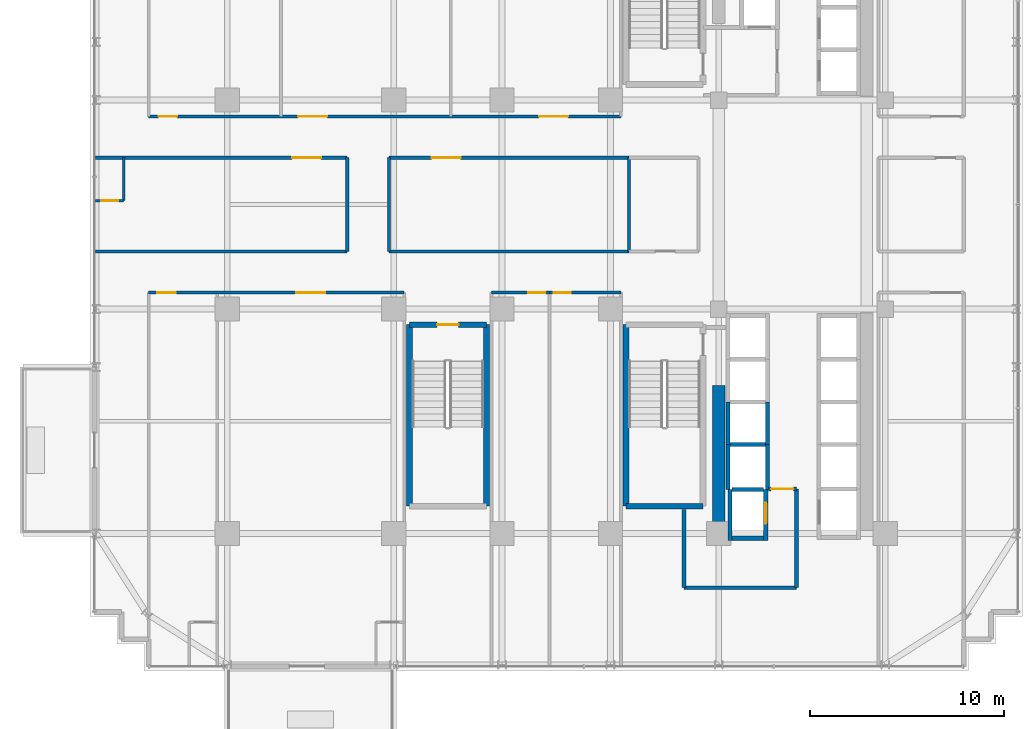
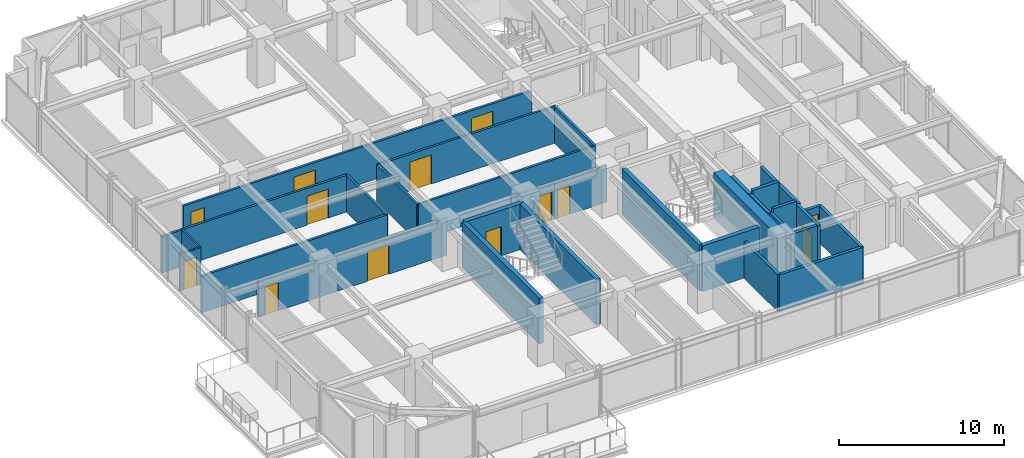
# One storey, part 26 of 32: 32 walls, 13 doors, 13 openings.
"""IFC4 building model written with IfcOpenShell, lengths in metres."""

from ifc_helpers import new_model, si_unit, direction, frame, frame_2d, origin, place, context, subcontext, project, spatial, rectangle, extrude, source, transform, mapped, material, layer, layer_set, type_object, element, fill, save


model = new_model("IFC4")

# Units and contexts
model_context = context("Model", 3, precision=1e-05, world=origin(), true_north=direction((0.0, 1.0)))
body_context = subcontext(model_context, "Body", "Model", "MODEL_VIEW")
ifc_project = project(units=[si_unit("LENGTHUNIT", "METRE"), si_unit("AREAUNIT", "SQUARE_METRE"), si_unit("VOLUMEUNIT", "CUBIC_METRE"), si_unit("PLANEANGLEUNIT", "RADIAN"), si_unit("MASSUNIT", "GRAM", prefix="KILO")], contexts=[model_context])

# Site, building, storey
site_placement = place(None, origin())
site = spatial("IfcSite", under=ifc_project, at=site_placement, CompositionType="ELEMENT")
building_placement = place(site_placement, origin())
building = spatial("IfcBuilding", under=site, at=building_placement, Name="Nahalor Promenade Grand Hotel", CompositionType="ELEMENT")
storey_placement = place(building_placement, frame((0.0, 0.0, 110.199951171875)))
storey = spatial("IfcBuildingStorey", under=building, at=storey_placement, Name="L27", CompositionType="ELEMENT", Elevation=110.199951171875)

# Walls
ifc_material_1 = material(Name="Concrete B-60 (C50/60)", Category="concrete")
ifc_layer_1 = layer(ifc_material_1, 0.64990234375)
ifc_layer_set_1 = layer_set([ifc_layer_1], Name="Concrete B-60 (C50/60)")
wall_type_1 = type_object("IfcWallType", Name="Wall-CoreShear-650", PredefinedType="SHEAR", material=ifc_layer_set_1)
shared_shape_1 = source(origin(), body_context, "Body", "SweptSolid", [
    extrude(rectangle(XDim=7.64990234375, YDim=0.64990234375, at=frame_2d((3.824951171875, 0.0))), origin(), (0.0, 0.0, 1.0), 3.380126953125),
])
wall_1_placement = place(storey_placement, frame((8.39990234375, -17.0, 0.0), z_axis=(0.0, 0.0, 1.0), x_axis=(0.0, 1.0, 0.0)))
element("IfcWall", 1, at=wall_1_placement, inside=storey, type_object=wall_type_1, Name="CWALL-L27-SW", PredefinedType="SHEAR", context=body_context, shape_type="MappedRepresentation", body=[
    mapped(shared_shape_1, transform((0.0, 0.0, 0.0), scale=1.0)),
])
ifc_material_2 = material(Name="Concrete B-50 (C40/50)", Category="concrete")
ifc_layer_2 = layer(ifc_material_2, 0.300048828125)
ifc_layer_set_2 = layer_set([ifc_layer_2], Name="Concrete B-50 (C40/50)")
wall_type_2 = type_object("IfcWallType", Name="Wall-ShaftShear-300", PredefinedType="SHEAR", material=ifc_layer_set_2)
shared_shape_2 = source(origin(), body_context, "Body", "SweptSolid", [
    extrude(rectangle(XDim=3.97998046875, YDim=0.300048828125, at=frame_2d((1.989990234375, 0.0))), origin(), (0.0, 0.0, 1.0), 3.380126953125),
])
wall_2_placement = place(storey_placement, frame((3.610107421875, -15.590087890625, 0.0), z_axis=(0.0, 0.0, 1.0), x_axis=(1.0, 0.0, 0.0)))
element("IfcWall", 2, at=wall_2_placement, inside=storey, type_object=wall_type_2, Name="L27 Exit Stair ST2 Shaft Wall S", PredefinedType="SHEAR", context=body_context, shape_type="MappedRepresentation", body=[
    mapped(shared_shape_2, transform((0.0, 0.0, 0.0), scale=1.0)),
])

# Wall, opening, door
wall_3_placement = place(storey_placement, frame((-7.590087890625, -6.2099609375, 0.0), z_axis=(0.0, 0.0, 1.0), x_axis=(1.0, 0.0, 0.0)))
wall_3 = element("IfcWall", 3, at=wall_3_placement, inside=storey, type_object=wall_type_2, Name="L27 Exit Stair ST3 Shaft Wall N", PredefinedType="SHEAR", context=body_context, shape_type="MappedRepresentation", body=[
    mapped(shared_shape_2, transform((0.0, 0.0, 0.0), scale=1.0)),
])
opening_1_placement = place(wall_3_placement, frame((1.43994140625, 0.0, 0.0)))
opening_1 = element("IfcOpeningElement", 4, at=opening_1_placement, cuts=wall_3, Name="Opening D-ST1", PredefinedType="OPENING", context=body_context, shape_type="SweptSolid", body=[
    extrude(rectangle(XDim=1.10009765625, YDim=2.14990234375, at=frame_2d((0.550048828125, 1.074951171875))), frame((0.0, 0.159912109375, 0.0), z_axis=(0.0, -1.0, 0.0), x_axis=(1.0, 0.0, 0.0)), (0.0, 0.0, 1.0), 0.320068359375),
])
ifc_material_3 = material(Name="Steel S355JR", Category="steel")
door_type_1 = type_object("IfcDoorType", Name="Door-StairFire-1100", OperationType="NOTDEFINED", PredefinedType="DOOR", material=ifc_material_3)
shared_shape_3 = source(origin(), body_context, "Body", "SweptSolid", [
    extrude(rectangle(XDim=1.10009765625, YDim=2.14990234375, at=frame_2d((0.550048828125, 1.074951171875))), frame((0.0, 0.02490234375, 0.0), z_axis=(0.0, -1.0, 0.0), x_axis=(1.0, 0.0, 0.0)), (0.0, 0.0, 1.0), 0.050048828125),
])
door_1_placement = place(opening_1_placement, frame((1.10009765625, 0.0, 0.0), z_axis=(0.0, 0.0, 1.0), x_axis=(-1.0, 0.0, 0.0)))
door_1 = element("IfcDoor", 5, at=door_1_placement, inside=storey, type_object=door_type_1, Name="DR-STAIR-ST3-L27", OperationType="SINGLE_SWING_RIGHT", OverallHeight=2.14990234375, OverallWidth=1.10009765625, PredefinedType="DOOR", context=body_context, shape_type="MappedRepresentation", body=[
    mapped(shared_shape_3, transform((0.0, 0.0, 0.0), scale=1.0)),
])
fill(opening_1, door_1)

# Walls
shared_shape_4 = source(origin(), body_context, "Body", "SweptSolid", [
    extrude(rectangle(XDim=9.380126953125, YDim=0.300048828125, at=frame_2d((4.68994140625, 0.0))), origin(), (0.0, 0.0, 1.0), 3.380126953125),
])
for number, where, z_axis, x_axis, name in (
    (6, (3.610107421875, -15.590087890625, 0.0), (0.0, 0.0, 1.0), (0.0, 1.0, 0.0), "L27 Exit Stair ST2 Shaft Wall W"),
    (7, (-7.590087890625, -15.590087890625, 0.0), (0.0, 0.0, 1.0), (0.0, 1.0, 0.0), "L27 Exit Stair ST3 Shaft Wall W"),
    (8, (-3.610107421875, -15.590087890625, 0.0), (0.0, 0.0, 1.0), (0.0, 1.0, 0.0), "L27 Exit Stair ST3 Shaft Wall E"),
):
    element("IfcWall", number, at=place(storey_placement, frame(where, z_axis=z_axis, x_axis=x_axis)), inside=storey, type_object=wall_type_2, Name=name, PredefinedType="SHEAR", context=body_context, shape_type="MappedRepresentation", body=[
        mapped(shared_shape_4, transform((0.0, 0.0, 0.0), scale=1.0)),
    ])
ifc_layer_3 = layer(ifc_material_2, 0.219970703125)
ifc_layer_set_3 = layer_set([ifc_layer_3], Name="Concrete B-50 (C40/50)")
wall_type_3 = type_object("IfcWallType", Name="Wall-LiftShaft-220", PredefinedType="SHEAR", material=ifc_layer_set_3)
shared_shape_5 = source(origin(), body_context, "Body", "SweptSolid", [
    extrude(rectangle(XDim=1.820068359375, YDim=0.219970703125, at=frame_2d((0.91015625, 0.0))), origin(), (0.0, 0.0, 1.0), 3.650146484375),
])
wall_4_placement = place(storey_placement, frame((8.989990234375, -12.39990234375, 0.0), z_axis=(0.0, 0.0, 1.0), x_axis=(1.0, 0.0, 0.0)))
element("IfcWall", 9, at=wall_4_placement, inside=storey, type_object=wall_type_3, Name="L27 Lift PL12 Hoistway Wall N", PredefinedType="SHEAR", context=body_context, shape_type="MappedRepresentation", body=[
    mapped(shared_shape_5, transform((0.0, 0.0, 0.0), scale=1.0)),
])
shared_shape_6 = source(origin(), body_context, "Body", "SweptSolid", [
    extrude(rectangle(XDim=2.199951171875, YDim=0.219970703125, at=frame_2d((1.10009765625, 0.0))), origin(), (0.0, 0.0, 1.0), 3.380126953125),
])
for number, where, z_axis, x_axis, name in (
    (10, (8.8798828125, -12.39990234375, 0.0), (0.0, 0.0, 1.0), (0.0, 1.0, 0.0), "L27 Lift PL11 Hoistway Wall W"),
    (11, (10.919921875, -12.39990234375, 0.0), (0.0, 0.0, 1.0), (0.0, 1.0, 0.0), "L27 Lift PL11 Hoistway Wall E"),
):
    element("IfcWall", number, at=place(storey_placement, frame(where, z_axis=z_axis, x_axis=x_axis)), inside=storey, type_object=wall_type_3, Name=name, PredefinedType="SHEAR", context=body_context, shape_type="MappedRepresentation", body=[
        mapped(shared_shape_6, transform((0.0, 0.0, 0.0), scale=1.0)),
    ])
shared_shape_7 = source(origin(), body_context, "Body", "SweptSolid", [
    extrude(rectangle(XDim=2.3251953125, YDim=0.219970703125, at=frame_2d((1.16259765625, 0.0))), origin(), (0.0, 0.0, 1.0), 3.380126953125),
])
for number, where, z_axis, x_axis, name in (
    (12, (8.8798828125, -14.72509765625, 0.0), (0.0, 0.0, 1.0), (0.0, 1.0, 0.0), "L27 Lift PL12 Hoistway Wall W"),
    (13, (10.919921875, -14.72509765625, 0.0), (0.0, 0.0, 1.0), (0.0, 1.0, 0.0), "L27 Lift PL12 Hoistway Wall E"),
):
    element("IfcWall", number, at=place(storey_placement, frame(where, z_axis=z_axis, x_axis=x_axis)), inside=storey, type_object=wall_type_3, Name=name, PredefinedType="SHEAR", context=body_context, shape_type="MappedRepresentation", body=[
        mapped(shared_shape_7, transform((0.0, 0.0, 0.0), scale=1.0)),
    ])
shared_shape_8 = source(origin(), body_context, "Body", "SweptSolid", [
    extrude(rectangle(XDim=1.619873046875, YDim=0.219970703125, at=frame_2d((0.81005859375, 0.0))), origin(), (0.0, 0.0, 1.0), 3.650146484375),
])
wall_5_placement = place(storey_placement, frame((9.090087890625, -14.72509765625, 0.0), z_axis=(0.0, 0.0, 1.0), x_axis=(1.0, 0.0, 0.0)))
element("IfcWall", 14, at=wall_5_placement, inside=storey, type_object=wall_type_3, Name="L27 Lift FL2 Hoistway Wall N", PredefinedType="SHEAR", context=body_context, shape_type="MappedRepresentation", body=[
    mapped(shared_shape_8, transform((0.0, 0.0, 0.0), scale=1.0)),
])
shared_shape_9 = source(origin(), body_context, "Body", "SweptSolid", [
    extrude(rectangle(XDim=2.635009765625, YDim=0.219970703125, at=frame_2d((1.3173828125, 0.0))), origin(), (0.0, 0.0, 1.0), 3.380126953125),
])
wall_6_placement = place(storey_placement, frame((8.97998046875, -17.360107421875, 0.0), z_axis=(0.0, 0.0, 1.0), x_axis=(0.0, 1.0, 0.0)))
element("IfcWall", 15, at=wall_6_placement, inside=storey, type_object=wall_type_3, Name="L27 Lift FL2 Hoistway Wall W", PredefinedType="SHEAR", context=body_context, shape_type="MappedRepresentation", body=[
    mapped(shared_shape_9, transform((0.0, 0.0, 0.0), scale=1.0)),
])

# Wall, opening, door
wall_7_placement = place(storey_placement, frame((10.820068359375, -17.360107421875, 0.0), z_axis=(0.0, 0.0, 1.0), x_axis=(0.0, 1.0, 0.0)))
wall_7 = element("IfcWall", 16, at=wall_7_placement, inside=storey, type_object=wall_type_3, Name="L27 Lift FL2 Hoistway Wall E", PredefinedType="SHEAR", context=body_context, shape_type="MappedRepresentation", body=[
    mapped(shared_shape_9, transform((0.0, 0.0, 0.0), scale=1.0)),
])
opening_2_placement = place(wall_7_placement, frame((0.860107421875, 0.0, 0.0)))
opening_2 = element("IfcOpeningElement", 17, at=opening_2_placement, cuts=wall_7, Name="Opening LD-02", PredefinedType="OPENING", context=body_context, shape_type="SweptSolid", body=[
    extrude(rectangle(XDim=1.10009765625, YDim=2.199951171875, at=frame_2d((0.550048828125, 1.10009765625))), frame((0.0, 0.119873046875, 0.0), z_axis=(0.0, -1.0, 0.0), x_axis=(1.0, 0.0, 0.0)), (0.0, 0.0, 1.0), 0.239990234375),
])
door_type_2 = type_object("IfcDoorType", Name="Door-LiftFF-1100", OperationType="DOUBLE_DOOR_SLIDING", PredefinedType="DOOR", material=ifc_material_3)
shared_shape_10 = source(origin(), body_context, "Body", "SweptSolid", [
    extrude(rectangle(XDim=1.10009765625, YDim=2.199951171875, at=frame_2d((0.550048828125, 1.10009765625))), frame((0.0, 0.02490234375, 0.0), z_axis=(0.0, -1.0, 0.0), x_axis=(1.0, 0.0, 0.0)), (0.0, 0.0, 1.0), 0.050048828125),
])
door_2_placement = place(opening_2_placement, frame((1.10009765625, 0.0, 0.0), z_axis=(0.0, 0.0, 1.0), x_axis=(-1.0, 0.0, 0.0)))
door_2 = element("IfcDoor", 18, at=door_2_placement, inside=storey, type_object=door_type_2, Name="DR-LIFT-FL2-L27", OperationType="DOUBLE_DOOR_SLIDING", OverallHeight=2.199951171875, OverallWidth=1.10009765625, PredefinedType="DOOR", context=body_context, shape_type="MappedRepresentation", body=[
    mapped(shared_shape_10, transform((0.0, 0.0, 0.0), scale=1.0)),
])
fill(opening_2, door_2)

# Walls
shared_shape_11 = source(origin(), body_context, "Body", "SweptSolid", [
    extrude(rectangle(XDim=1.619873046875, YDim=0.219970703125, at=frame_2d((0.81005859375, 0.0))), origin(), (0.0, 0.0, 1.0), 3.380126953125),
])
wall_8_placement = place(storey_placement, frame((9.090087890625, -17.25, 0.0), z_axis=(0.0, 0.0, 1.0), x_axis=(1.0, 0.0, 0.0)))
element("IfcWall", 19, at=wall_8_placement, inside=storey, type_object=wall_type_3, Name="L27 Lift FL2 Hoistway Wall S", PredefinedType="SHEAR", context=body_context, shape_type="MappedRepresentation", body=[
    mapped(shared_shape_11, transform((0.0, 0.0, 0.0), scale=1.0)),
])
ifc_material_4 = material(Name="Concrete B-40 (C32/40)", Category="concrete")
ifc_layer_4 = layer(ifc_material_4, 0.199951171875)
ifc_layer_set_4 = layer_set([ifc_layer_4], Name="Concrete B-40 (C32/40)")
wall_type_4 = type_object("IfcWallType", Name="Wall-PartFire-200", PredefinedType="PARTITIONING", material=ifc_layer_set_4)
shared_shape_12 = source(origin(), body_context, "Body", "SweptSolid", [
    extrude(rectangle(XDim=5.81982421875, YDim=0.199951171875, at=frame_2d((2.909912109375, 0.0))), origin(), (0.0, 0.0, 1.0), 2.719970703125),
])
wall_9_placement = place(storey_placement, frame((6.60009765625, -19.800048828125, 0.0), z_axis=(0.0, 0.0, 1.0), x_axis=(1.0, 0.0, 0.0)))
element("IfcWall", 20, at=wall_9_placement, inside=storey, type_object=wall_type_4, Name="W-L27-FF2-S1", PredefinedType="PARTITIONING", context=body_context, shape_type="MappedRepresentation", body=[
    mapped(shared_shape_12, transform((0.0, 0.0, 0.0), scale=1.0)),
])
shared_shape_13 = source(origin(), body_context, "Body", "SweptSolid", [
    extrude(rectangle(XDim=4.030029296875, YDim=0.199951171875, at=frame_2d((2.01513671875, 0.0))), origin(), (0.0, 0.0, 1.0), 2.719970703125),
])
wall_10_placement = place(storey_placement, frame((6.60009765625, -19.800048828125, 0.0), z_axis=(0.0, 0.0, 1.0), x_axis=(0.0, 1.0, 0.0)))
element("IfcWall", 21, at=wall_10_placement, inside=storey, type_object=wall_type_4, Name="W-L27-FF2-W1", PredefinedType="PARTITIONING", context=body_context, shape_type="MappedRepresentation", body=[
    mapped(shared_shape_13, transform((0.0, 0.0, 0.0), scale=1.0)),
])
shared_shape_14 = source(origin(), body_context, "Body", "SweptSolid", [
    extrude(rectangle(XDim=5.10009765625, YDim=0.199951171875, at=frame_2d((2.550048828125, 0.0))), origin(), (0.0, 0.0, 1.0), 2.719970703125),
])
wall_11_placement = place(storey_placement, frame((12.419921875, -19.800048828125, 0.0), z_axis=(0.0, 0.0, 1.0), x_axis=(0.0, 1.0, 0.0)))
element("IfcWall", 22, at=wall_11_placement, inside=storey, type_object=wall_type_4, Name="W-L27-FF2-E", PredefinedType="PARTITIONING", context=body_context, shape_type="MappedRepresentation", body=[
    mapped(shared_shape_14, transform((0.0, 0.0, 0.0), scale=1.0)),
])

# Wall, opening, door
shared_shape_15 = source(origin(), body_context, "Body", "SweptSolid", [
    extrude(rectangle(XDim=1.4599609375, YDim=0.199951171875, at=frame_2d((0.72998046875, 0.0))), origin(), (0.0, 0.0, 1.0), 2.719970703125),
])
wall_12_placement = place(storey_placement, frame((10.9599609375, -14.699951171875, 0.0), z_axis=(0.0, 0.0, 1.0), x_axis=(1.0, 0.0, 0.0)))
wall_12 = element("IfcWall", 23, at=wall_12_placement, inside=storey, type_object=wall_type_4, Name="W-L27-FF2-N1", PredefinedType="PARTITIONING", context=body_context, shape_type="MappedRepresentation", body=[
    mapped(shared_shape_15, transform((0.0, 0.0, 0.0), scale=1.0)),
])
opening_3_placement = place(wall_12_placement, frame((0.14501953125, 0.0, 0.0)))
opening_3 = element("IfcOpeningElement", 24, at=opening_3_placement, cuts=wall_12, Name="Opening D-FF1", PredefinedType="OPENING", context=body_context, shape_type="SweptSolid", body=[
    extrude(rectangle(XDim=1.14990234375, YDim=2.14990234375, at=frame_2d((0.574951171875, 1.074951171875))), frame((0.0, 0.10986328125, 0.0), z_axis=(0.0, -1.0, 0.0), x_axis=(1.0, 0.0, 0.0)), (0.0, 0.0, 1.0), 0.219970703125),
])
door_type_3 = type_object("IfcDoorType", Name="Door-FFLobby-1150", OperationType="NOTDEFINED", PredefinedType="DOOR", material=ifc_material_3)
shared_shape_16 = source(origin(), body_context, "Body", "SweptSolid", [
    extrude(rectangle(XDim=1.14990234375, YDim=2.14990234375, at=frame_2d((0.574951171875, 1.074951171875))), frame((0.0, 0.02490234375, 0.0), z_axis=(0.0, -1.0, 0.0), x_axis=(1.0, 0.0, 0.0)), (0.0, 0.0, 1.0), 0.050048828125),
])
door_3_placement = place(opening_3_placement, origin())
door_3 = element("IfcDoor", 25, at=door_3_placement, inside=storey, type_object=door_type_3, Name="DR-L27-FFL2", OperationType="SINGLE_SWING_RIGHT", OverallHeight=2.14990234375, OverallWidth=1.14990234375, PredefinedType="DOOR", context=body_context, shape_type="MappedRepresentation", body=[
    mapped(shared_shape_16, transform((0.0, 0.0, 0.0), scale=1.0)),
])
fill(opening_3, door_3)

# Wall, openings, doors
ifc_material_5 = material(Name="Acoustic Mineral Gypsum", Category="gypsum")
ifc_layer_5 = layer(ifc_material_5, 0.159912109375)
ifc_layer_set_5 = layer_set([ifc_layer_5], Name="Acoustic Mineral Gypsum")
wall_type_5 = type_object("IfcWallType", Name="Wall-PartCorridor-160", PredefinedType="PARTITIONING", material=ifc_layer_set_5)
shared_shape_17 = source(origin(), body_context, "Body", "SweptSolid", [
    extrude(rectangle(XDim=24.400146484375, YDim=0.159912109375, at=frame_2d((12.2001953125, 0.0))), origin(), (0.0, 0.0, 1.0), 2.719970703125),
])
wall_13_placement = place(storey_placement, frame((-21.06005859375, 4.550048828125, 0.0), z_axis=(0.0, 0.0, 1.0), x_axis=(1.0, 0.0, 0.0)))
wall_13 = element("IfcWall", 26, at=wall_13_placement, inside=storey, type_object=wall_type_5, Name="W-L27-CORR-N", PredefinedType="PARTITIONING", context=body_context, shape_type="MappedRepresentation", body=[
    mapped(shared_shape_17, transform((0.0, 0.0, 0.0), scale=1.0)),
])
opening_4_placement = place(wall_13_placement, frame((0.514892578125, 0.0, 0.0)))
opening_4 = element("IfcOpeningElement", 27, at=opening_4_placement, cuts=wall_13, Name="Opening D-01", PredefinedType="OPENING", context=body_context, shape_type="SweptSolid", body=[
    extrude(rectangle(XDim=0.949951171875, YDim=2.10009765625, at=frame_2d((0.47509765625, 1.050048828125))), frame((0.0, 0.08984375, 0.0), z_axis=(0.0, -1.0, 0.0), x_axis=(1.0, 0.0, 0.0)), (0.0, 0.0, 1.0), 0.179931640625),
])
opening_5_placement = place(wall_13_placement, frame((7.72509765625, 0.0, 0.0)))
opening_5 = element("IfcOpeningElement", 28, at=opening_5_placement, cuts=wall_13, Name="Opening D-02", PredefinedType="OPENING", context=body_context, shape_type="SweptSolid", body=[
    extrude(rectangle(XDim=1.5, YDim=2.14990234375, at=frame_2d((0.75, 1.074951171875))), frame((0.0, 0.08984375, 0.0), z_axis=(0.0, -1.0, 0.0), x_axis=(1.0, 0.0, 0.0)), (0.0, 0.0, 1.0), 0.179931640625),
])
opening_6_placement = place(wall_13_placement, frame((20.174072265625, 0.0, 0.0)))
opening_6 = element("IfcOpeningElement", 29, at=opening_6_placement, cuts=wall_13, Name="Opening D-02", PredefinedType="OPENING", context=body_context, shape_type="SweptSolid", body=[
    extrude(rectangle(XDim=1.5, YDim=2.14990234375, at=frame_2d((0.75, 1.074951171875))), frame((0.0, 0.08984375, 0.0), z_axis=(0.0, -1.0, 0.0), x_axis=(1.0, 0.0, 0.0)), (0.0, 0.0, 1.0), 0.179931640625),
])
ifc_material_6 = material(Name="Fire-Rated Timber Composite", Category="wood")
door_type_4 = type_object("IfcDoorType", Name="Door-SuiteDouble-1500", OperationType="DOUBLE_DOOR_SINGLE_SWING", PredefinedType="DOOR", material=ifc_material_6)
shared_shape_18 = source(origin(), body_context, "Body", "SweptSolid", [
    extrude(rectangle(XDim=1.5, YDim=2.14990234375, at=frame_2d((0.75, 1.074951171875))), frame((0.0, 0.02490234375, 0.0), z_axis=(0.0, -1.0, 0.0), x_axis=(1.0, 0.0, 0.0)), (0.0, 0.0, 1.0), 0.050048828125),
])
door_4_placement = place(opening_5_placement, origin())
door_4 = element("IfcDoor", 30, at=door_4_placement, inside=storey, type_object=door_type_4, Name="DR-L27-N2-ENT", OperationType="DOUBLE_DOOR_SINGLE_SWING", OverallHeight=2.14990234375, OverallWidth=1.5, PredefinedType="DOOR", context=body_context, shape_type="MappedRepresentation", body=[
    mapped(shared_shape_18, transform((0.0, 0.0, 0.0), scale=1.0)),
])
fill(opening_5, door_4)
door_5_placement = place(opening_6_placement, origin())
door_5 = element("IfcDoor", 31, at=door_5_placement, inside=storey, type_object=door_type_4, Name="DR-L27-N3-ENT", OperationType="DOUBLE_DOOR_SINGLE_SWING", OverallHeight=2.14990234375, OverallWidth=1.5, PredefinedType="DOOR", context=body_context, shape_type="MappedRepresentation", body=[
    mapped(shared_shape_18, transform((0.0, 0.0, 0.0), scale=1.0)),
])
fill(opening_6, door_5)
door_type_5 = type_object("IfcDoorType", Name="Door-GuestEntry-950", OperationType="NOTDEFINED", PredefinedType="DOOR", material=ifc_material_6)
shared_shape_19 = source(origin(), body_context, "Body", "SweptSolid", [
    extrude(rectangle(XDim=0.949951171875, YDim=2.10009765625, at=frame_2d((0.47509765625, 1.050048828125))), frame((0.0, 0.02490234375, 0.0), z_axis=(0.0, -1.0, 0.0), x_axis=(1.0, 0.0, 0.0)), (0.0, 0.0, 1.0), 0.050048828125),
])
door_6_placement = place(opening_4_placement, origin())
door_6 = element("IfcDoor", 32, at=door_6_placement, inside=storey, type_object=door_type_5, Name="DR-L27-N1-ENT", OperationType="SINGLE_SWING_LEFT", OverallHeight=2.10009765625, OverallWidth=0.949951171875, PredefinedType="DOOR", context=body_context, shape_type="MappedRepresentation", body=[
    mapped(shared_shape_19, transform((0.0, 0.0, 0.0), scale=1.0)),
])
fill(opening_4, door_6)

# Wall
ifc_layer_6 = layer(ifc_material_5, 0.1201171875)
ifc_layer_set_6 = layer_set([ifc_layer_6], Name="Acoustic Mineral Gypsum")
wall_type_6 = type_object("IfcWallType", Name="Wall-PartBath-120", PredefinedType="PARTITIONING", material=ifc_layer_set_6)
shared_shape_20 = source(origin(), body_context, "Body", "SweptSolid", [
    extrude(rectangle(XDim=2.219970703125, YDim=0.1201171875, at=frame_2d((1.10986328125, 0.0))), origin(), (0.0, 0.0, 1.0), 2.719970703125),
])
wall_14_placement = place(storey_placement, frame((-22.35009765625, 0.199951171875, 0.0), z_axis=(0.0, 0.0, 1.0), x_axis=(0.0, 1.0, 0.0)))
element("IfcWall", 33, at=wall_14_placement, inside=storey, type_object=wall_type_6, Name="W-L27-W1-BV", PredefinedType="PARTITIONING", context=body_context, shape_type="MappedRepresentation", body=[
    mapped(shared_shape_20, transform((0.0, 0.0, 0.0), scale=1.0)),
])

# Wall, opening, door
shared_shape_21 = source(origin(), body_context, "Body", "SweptSolid", [
    extrude(rectangle(XDim=1.449951171875, YDim=0.1201171875, at=frame_2d((0.72509765625, 0.0))), origin(), (0.0, 0.0, 1.0), 2.719970703125),
])
wall_15_placement = place(storey_placement, frame((-23.800048828125, 0.199951171875, 0.0), z_axis=(0.0, 0.0, 1.0), x_axis=(1.0, 0.0, 0.0)))
wall_15 = element("IfcWall", 34, at=wall_15_placement, inside=storey, type_object=wall_type_6, Name="W-L27-W1-BH", PredefinedType="PARTITIONING", context=body_context, shape_type="MappedRepresentation", body=[
    mapped(shared_shape_21, transform((0.0, 0.0, 0.0), scale=1.0)),
])
opening_7_placement = place(wall_15_placement, frame((0.284912109375, 0.0, 0.0)))
opening_7 = element("IfcOpeningElement", 35, at=opening_7_placement, cuts=wall_15, Name="Opening D-03", PredefinedType="OPENING", context=body_context, shape_type="SweptSolid", body=[
    extrude(rectangle(XDim=0.8798828125, YDim=2.10009765625, at=frame_2d((0.43994140625, 1.050048828125))), frame((0.0, 0.070068359375, 0.0), z_axis=(0.0, -1.0, 0.0), x_axis=(1.0, 0.0, 0.0)), (0.0, 0.0, 1.0), 0.14013671875),
])
door_type_6 = type_object("IfcDoorType", Name="Door-BathSwing-880", OperationType="NOTDEFINED", PredefinedType="DOOR", material=ifc_material_6)
shared_shape_22 = source(origin(), body_context, "Body", "SweptSolid", [
    extrude(rectangle(XDim=0.8798828125, YDim=2.10009765625, at=frame_2d((0.43994140625, 1.050048828125))), frame((0.0, 0.02490234375, 0.0), z_axis=(0.0, -1.0, 0.0), x_axis=(1.0, 0.0, 0.0)), (0.0, 0.0, 1.0), 0.050048828125),
])
door_7_placement = place(opening_7_placement, origin())
door_7 = element("IfcDoor", 36, at=door_7_placement, inside=storey, type_object=door_type_6, Name="DR-L27-W1-BATH", OperationType="SINGLE_SWING_LEFT", OverallHeight=2.10009765625, OverallWidth=0.8798828125, PredefinedType="DOOR", context=body_context, shape_type="MappedRepresentation", body=[
    mapped(shared_shape_22, transform((0.0, 0.0, 0.0), scale=1.0)),
])
fill(opening_7, door_7)

# Wall, openings, doors
shared_shape_23 = source(origin(), body_context, "Body", "SweptSolid", [
    extrude(rectangle(XDim=13.199951171875, YDim=0.159912109375, at=frame_2d((6.60009765625, 0.0))), origin(), (0.0, 0.0, 1.0), 2.719970703125),
])
wall_16_placement = place(storey_placement, frame((-21.06005859375, -4.550048828125, 0.0), z_axis=(0.0, 0.0, 1.0), x_axis=(1.0, 0.0, 0.0)))
wall_16 = element("IfcWall", 37, at=wall_16_placement, inside=storey, type_object=wall_type_5, Name="W-L27-CORR-S", PredefinedType="PARTITIONING", context=body_context, shape_type="MappedRepresentation", body=[
    mapped(shared_shape_23, transform((0.0, 0.0, 0.0), scale=1.0)),
])
opening_8_placement = place(wall_16_placement, frame((0.444091796875, 0.0, 0.0)))
opening_8 = element("IfcOpeningElement", 38, at=opening_8_placement, cuts=wall_16, Name="Opening D-01", PredefinedType="OPENING", context=body_context, shape_type="SweptSolid", body=[
    extrude(rectangle(XDim=0.949951171875, YDim=2.10009765625, at=frame_2d((0.47509765625, 1.050048828125))), frame((0.0, 0.08984375, 0.0), z_axis=(0.0, -1.0, 0.0), x_axis=(1.0, 0.0, 0.0)), (0.0, 0.0, 1.0), 0.179931640625),
])
opening_9_placement = place(wall_16_placement, frame((7.625, 0.0, 0.0)))
opening_9 = element("IfcOpeningElement", 39, at=opening_9_placement, cuts=wall_16, Name="Opening D-02", PredefinedType="OPENING", context=body_context, shape_type="SweptSolid", body=[
    extrude(rectangle(XDim=1.5, YDim=2.14990234375, at=frame_2d((0.75, 1.074951171875))), frame((0.0, 0.08984375, 0.0), z_axis=(0.0, -1.0, 0.0), x_axis=(1.0, 0.0, 0.0)), (0.0, 0.0, 1.0), 0.179931640625),
])
door_8_placement = place(opening_9_placement, frame((1.5, 0.0, 0.0), z_axis=(0.0, 0.0, 1.0), x_axis=(-1.0, 0.0, 0.0)))
door_8 = element("IfcDoor", 40, at=door_8_placement, inside=storey, type_object=door_type_4, Name="DR-L27-S2-ENT", OperationType="DOUBLE_DOOR_SINGLE_SWING", OverallHeight=2.14990234375, OverallWidth=1.5, PredefinedType="DOOR", context=body_context, shape_type="MappedRepresentation", body=[
    mapped(shared_shape_18, transform((0.0, 0.0, 0.0), scale=1.0)),
])
fill(opening_9, door_8)
door_9_placement = place(opening_8_placement, frame((0.949951171875, 0.0, 0.0), z_axis=(0.0, 0.0, 1.0), x_axis=(-1.0, 0.0, 0.0)))
door_9 = element("IfcDoor", 41, at=door_9_placement, inside=storey, type_object=door_type_5, Name="DR-L27-S1-ENT", OperationType="SINGLE_SWING_LEFT", OverallHeight=2.10009765625, OverallWidth=0.949951171875, PredefinedType="DOOR", context=body_context, shape_type="MappedRepresentation", body=[
    mapped(shared_shape_19, transform((0.0, 0.0, 0.0), scale=1.0)),
])
fill(opening_8, door_9)

# Wall, opening, door
shared_shape_24 = source(origin(), body_context, "Body", "SweptSolid", [
    extrude(rectangle(XDim=2.989990234375, YDim=0.159912109375, at=frame_2d((1.4951171875, 0.0))), origin(), (0.0, 0.0, 1.0), 2.719970703125),
])
wall_17_placement = place(storey_placement, frame((-3.340087890625, -4.550048828125, 0.0), z_axis=(0.0, 0.0, 1.0), x_axis=(1.0, 0.0, 0.0)))
wall_17 = element("IfcWall", 42, at=wall_17_placement, inside=storey, type_object=wall_type_5, Name="W-L27-SCB1-N", PredefinedType="PARTITIONING", context=body_context, shape_type="MappedRepresentation", body=[
    mapped(shared_shape_24, transform((0.0, 0.0, 0.0), scale=1.0)),
])
opening_10_placement = place(wall_17_placement, frame((1.89990234375, 0.0, 0.0)))
opening_10 = element("IfcOpeningElement", 43, at=opening_10_placement, cuts=wall_17, Name="Opening D-03", PredefinedType="OPENING", context=body_context, shape_type="SweptSolid", body=[
    extrude(rectangle(XDim=0.8798828125, YDim=2.10009765625, at=frame_2d((0.43994140625, 1.050048828125))), frame((0.0, 0.08984375, 0.0), z_axis=(0.0, -1.0, 0.0), x_axis=(1.0, 0.0, 0.0)), (0.0, 0.0, 1.0), 0.179931640625),
])
door_10_placement = place(opening_10_placement, frame((0.8798828125, 0.0, 0.0), z_axis=(0.0, 0.0, 1.0), x_axis=(-1.0, 0.0, 0.0)))
door_10 = element("IfcDoor", 44, at=door_10_placement, inside=storey, type_object=door_type_6, Name="DR-L27-SCB1", OperationType="SINGLE_SWING_LEFT", OverallHeight=2.10009765625, OverallWidth=0.8798828125, PredefinedType="DOOR", context=body_context, shape_type="MappedRepresentation", body=[
    mapped(shared_shape_22, transform((0.0, 0.0, 0.0), scale=1.0)),
])
fill(opening_10, door_10)

shared_shape_25 = source(origin(), body_context, "Body", "SweptSolid", [
    extrude(rectangle(XDim=3.690185546875, YDim=0.159912109375, at=frame_2d((1.84521484375, 0.0))), origin(), (0.0, 0.0, 1.0), 2.719970703125),
])
wall_18_placement = place(storey_placement, frame((-0.35009765625, -4.550048828125, 0.0), z_axis=(0.0, 0.0, 1.0), x_axis=(1.0, 0.0, 0.0)))
wall_18 = element("IfcWall", 45, at=wall_18_placement, inside=storey, type_object=wall_type_5, Name="W-L27-SCB2-N", PredefinedType="PARTITIONING", context=body_context, shape_type="MappedRepresentation", body=[
    mapped(shared_shape_25, transform((0.0, 0.0, 0.0), scale=1.0)),
])
opening_11_placement = place(wall_18_placement, frame((0.2099609375, 0.0, 0.0)))
opening_11 = element("IfcOpeningElement", 46, at=opening_11_placement, cuts=wall_18, Name="Opening D-03", PredefinedType="OPENING", context=body_context, shape_type="SweptSolid", body=[
    extrude(rectangle(XDim=0.8798828125, YDim=2.10009765625, at=frame_2d((0.43994140625, 1.050048828125))), frame((0.0, 0.08984375, 0.0), z_axis=(0.0, -1.0, 0.0), x_axis=(1.0, 0.0, 0.0)), (0.0, 0.0, 1.0), 0.179931640625),
])
door_11_placement = place(opening_11_placement, frame((0.8798828125, 0.0, 0.0), z_axis=(0.0, 0.0, 1.0), x_axis=(-1.0, 0.0, 0.0)))
door_11 = element("IfcDoor", 47, at=door_11_placement, inside=storey, type_object=door_type_6, Name="DR-L27-SCB2", OperationType="SINGLE_SWING_RIGHT", OverallHeight=2.10009765625, OverallWidth=0.8798828125, PredefinedType="DOOR", context=body_context, shape_type="MappedRepresentation", body=[
    mapped(shared_shape_22, transform((0.0, 0.0, 0.0), scale=1.0)),
])
fill(opening_11, door_11)

# Walls
shared_shape_26 = source(origin(), body_context, "Body", "SweptSolid", [
    extrude(rectangle(XDim=4.83984375, YDim=0.159912109375, at=frame_2d((2.419921875, 0.0))), origin(), (0.0, 0.0, 1.0), 2.719970703125),
])
for number, where, z_axis, x_axis, name in (
    (48, (-10.800048828125, -2.419921875, 0.0), (0.0, 0.0, 1.0), (0.0, 1.0, 0.0), "W-L27-WEST-E"),
    (49, (-8.64990234375, -2.419921875, 0.0), (0.0, 0.0, 1.0), (0.0, 1.0, 0.0), "W-L27-CM1-W"),
    (50, (3.75, -2.419921875, 0.0), (0.0, 0.0, 1.0), (0.0, 1.0, 0.0), "W-L27-CM1-E"),
):
    element("IfcWall", number, at=place(storey_placement, frame(where, z_axis=z_axis, x_axis=x_axis)), inside=storey, type_object=wall_type_5, Name=name, PredefinedType="PARTITIONING", context=body_context, shape_type="MappedRepresentation", body=[
        mapped(shared_shape_26, transform((0.0, 0.0, 0.0), scale=1.0)),
    ])

# Wall, opening, door
shared_shape_27 = source(origin(), body_context, "Body", "SweptSolid", [
    extrude(rectangle(XDim=13.0, YDim=0.159912109375, at=frame_2d((6.5, 0.0))), origin(), (0.0, 0.0, 1.0), 2.719970703125),
])
wall_19_placement = place(storey_placement, frame((-23.800048828125, 2.419921875, 0.0), z_axis=(0.0, 0.0, 1.0), x_axis=(1.0, 0.0, 0.0)))
wall_19 = element("IfcWall", 51, at=wall_19_placement, inside=storey, type_object=wall_type_5, Name="W-L27-WEST-N", PredefinedType="PARTITIONING", context=body_context, shape_type="MappedRepresentation", body=[
    mapped(shared_shape_27, transform((0.0, 0.0, 0.0), scale=1.0)),
])
opening_12_placement = place(wall_19_placement, frame((10.14794921875, 0.0, 0.0)))
opening_12 = element("IfcOpeningElement", 52, at=opening_12_placement, cuts=wall_19, Name="Opening D-02", PredefinedType="OPENING", context=body_context, shape_type="SweptSolid", body=[
    extrude(rectangle(XDim=1.5, YDim=2.14990234375, at=frame_2d((0.75, 1.074951171875))), frame((0.0, 0.08984375, 0.0), z_axis=(0.0, -1.0, 0.0), x_axis=(1.0, 0.0, 0.0)), (0.0, 0.0, 1.0), 0.179931640625),
])
door_12_placement = place(opening_12_placement, origin())
door_12 = element("IfcDoor", 53, at=door_12_placement, inside=storey, type_object=door_type_4, Name="DR-L27-W1-ENT", OperationType="DOUBLE_DOOR_SINGLE_SWING", OverallHeight=2.14990234375, OverallWidth=1.5, PredefinedType="DOOR", context=body_context, shape_type="MappedRepresentation", body=[
    mapped(shared_shape_18, transform((0.0, 0.0, 0.0), scale=1.0)),
])
fill(opening_12, door_12)

# Walls
wall_20_placement = place(storey_placement, frame((-23.800048828125, -2.419921875, 0.0), z_axis=(0.0, 0.0, 1.0), x_axis=(1.0, 0.0, 0.0)))
element("IfcWall", 54, at=wall_20_placement, inside=storey, type_object=wall_type_5, Name="W-L27-WEST-S", PredefinedType="PARTITIONING", context=body_context, shape_type="MappedRepresentation", body=[
    mapped(shared_shape_27, transform((0.0, 0.0, 0.0), scale=1.0)),
])
shared_shape_28 = source(origin(), body_context, "Body", "SweptSolid", [
    extrude(rectangle(XDim=12.39990234375, YDim=0.159912109375, at=frame_2d((6.199951171875, 0.0))), origin(), (0.0, 0.0, 1.0), 2.719970703125),
])
wall_21_placement = place(storey_placement, frame((-8.64990234375, -2.419921875, 0.0), z_axis=(0.0, 0.0, 1.0), x_axis=(1.0, 0.0, 0.0)))
element("IfcWall", 55, at=wall_21_placement, inside=storey, type_object=wall_type_5, Name="W-L27-CM1-S", PredefinedType="PARTITIONING", context=body_context, shape_type="MappedRepresentation", body=[
    mapped(shared_shape_28, transform((0.0, 0.0, 0.0), scale=1.0)),
])

# Wall, opening, door
wall_22_placement = place(storey_placement, frame((-8.64990234375, 2.419921875, 0.0), z_axis=(0.0, 0.0, 1.0), x_axis=(1.0, 0.0, 0.0)))
wall_22 = element("IfcWall", 56, at=wall_22_placement, inside=storey, type_object=wall_type_5, Name="W-L27-CM1-N", PredefinedType="PARTITIONING", context=body_context, shape_type="MappedRepresentation", body=[
    mapped(shared_shape_28, transform((0.0, 0.0, 0.0), scale=1.0)),
])
opening_13_placement = place(wall_22_placement, frame((2.2119140625, 0.0, 0.0)))
opening_13 = element("IfcOpeningElement", 57, at=opening_13_placement, cuts=wall_22, Name="Opening D-02", PredefinedType="OPENING", context=body_context, shape_type="SweptSolid", body=[
    extrude(rectangle(XDim=1.5, YDim=2.14990234375, at=frame_2d((0.75, 1.074951171875))), frame((0.0, 0.08984375, 0.0), z_axis=(0.0, -1.0, 0.0), x_axis=(1.0, 0.0, 0.0)), (0.0, 0.0, 1.0), 0.179931640625),
])
door_13_placement = place(opening_13_placement, frame((1.5, 0.0, 0.0), z_axis=(0.0, 0.0, 1.0), x_axis=(-1.0, 0.0, 0.0)))
door_13 = element("IfcDoor", 58, at=door_13_placement, inside=storey, type_object=door_type_4, Name="DR-L27-CM1", OperationType="DOUBLE_DOOR_SINGLE_SWING", OverallHeight=2.14990234375, OverallWidth=1.5, PredefinedType="DOOR", context=body_context, shape_type="MappedRepresentation", body=[
    mapped(shared_shape_18, transform((0.0, 0.0, 0.0), scale=1.0)),
])
fill(opening_13, door_13)

save(model, "model.ifc")
